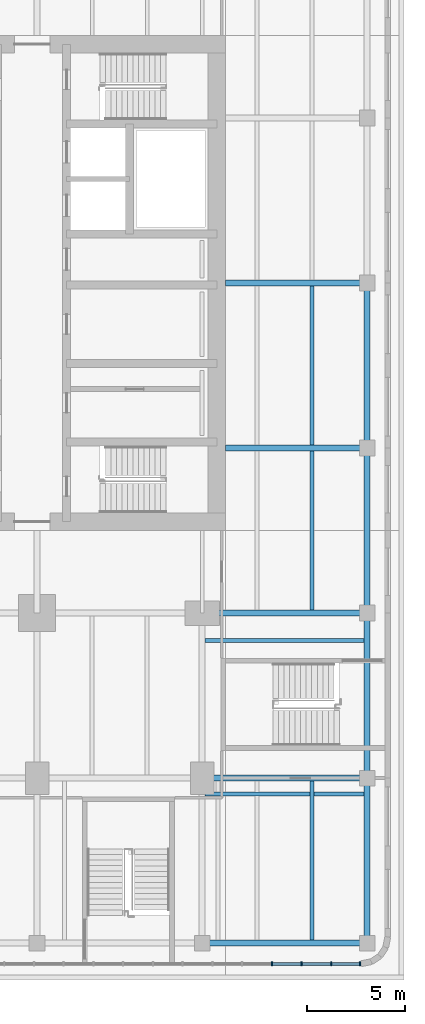
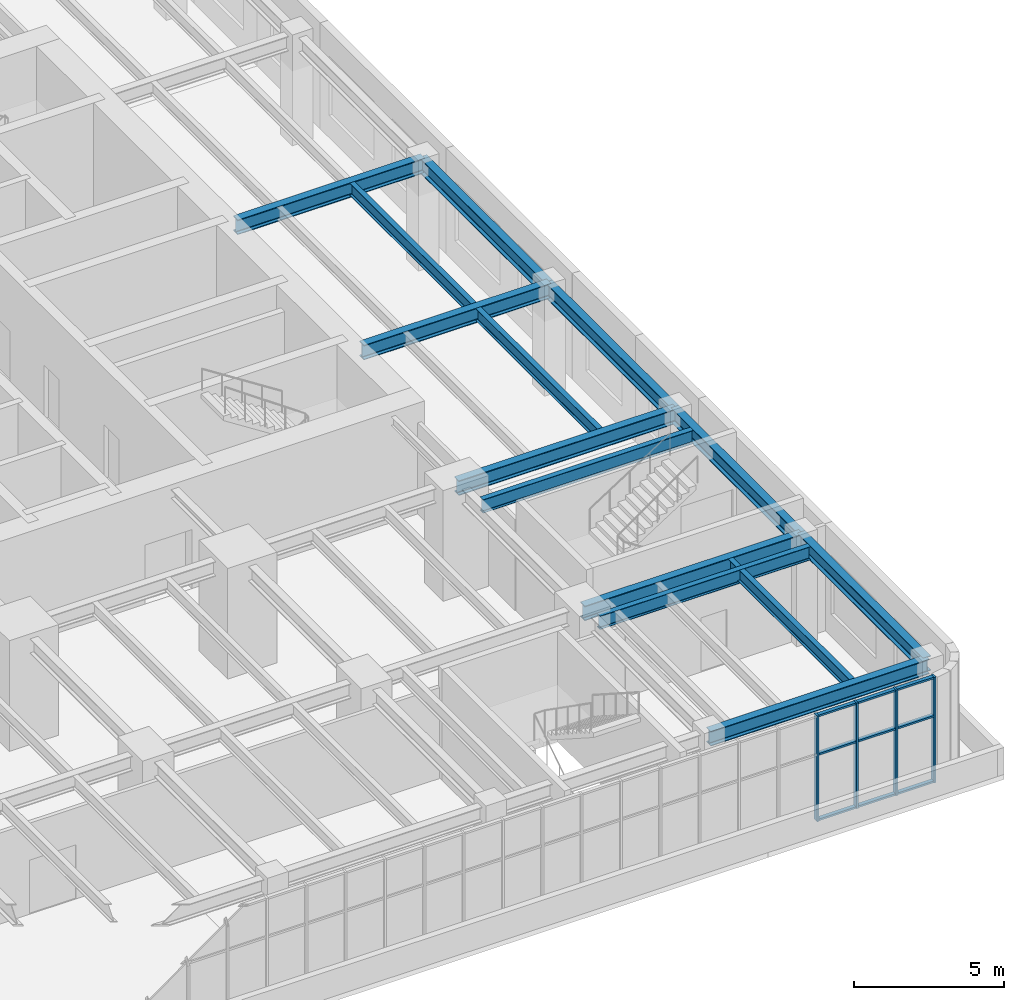
# One storey, part 12 of 30: 14 beams, 13 members, 1 element without a shape of its own.
"""IFC4 building model written with IfcOpenShell, lengths in metres."""

from ifc_helpers import new_model, si_unit, direction, frame, origin, origin_2d, place, context, subcontext, project, spatial, rectangle, i_section, extrude, material, material_profile, profile_set, type_object, element, aggregate, save


model = new_model("IFC4")

# Units and contexts
model_context = context("Model", 3, precision=1e-05, world=origin(), true_north=direction((0.0, 1.0)))
body_context = subcontext(model_context, "Body", "Model", "MODEL_VIEW")
ifc_project = project(units=[si_unit("LENGTHUNIT", "METRE"), si_unit("AREAUNIT", "SQUARE_METRE"), si_unit("VOLUMEUNIT", "CUBIC_METRE"), si_unit("PLANEANGLEUNIT", "RADIAN"), si_unit("MASSUNIT", "GRAM", prefix="KILO")], contexts=[model_context])

# Site, building, storey
site_placement = place(None, origin())
site = spatial("IfcSite", under=ifc_project, at=site_placement, CompositionType="ELEMENT")
building_placement = place(site_placement, origin())
building = spatial("IfcBuilding", under=site, at=building_placement, Name="Claustro Exchange Tower", CompositionType="ELEMENT")
storey_placement = place(building_placement, frame((0.0, 0.0, 5.39990234375)))
storey = spatial("IfcBuildingStorey", under=building, at=storey_placement, Name="L01", CompositionType="ELEMENT", Elevation=5.39990234375)

# Beams
ifc_material_1 = material(Name="Steel S355", Category="steel")
ifc_material_profile_1 = material_profile(ifc_material_1, i_section(OverallWidth=0.300048828125, OverallDepth=0.60009765625, WebThickness=0.015380859375, FlangeThickness=0.030029296875, FilletRadius=0.027099609375, at=origin_2d()), Name="HE 600 B")
ifc_profile_set_1 = profile_set([ifc_material_profile_1], Name="Steel S355")
beam_type_1 = type_object("IfcBeamType", Name="B1 HE 600 B floor girder", PredefinedType="BEAM", material=ifc_profile_set_1)
for number, where, z_axis, x_axis, name in (
    (1, (58.800048828125, -8.39990234375, 4.0), (0.0, 1.0, 0.0), (-1.0, 0.0, 0.0), "Beam B1 L02"),
    (2, (58.800048828125, 0.0, 4.0), (0.0, 1.0, 0.0), (-1.0, 0.0, 0.0), "Beam B1 L02"),
):
    element("IfcBeam", number, at=place(storey_placement, frame(where, z_axis=z_axis, x_axis=x_axis)), inside=storey, type_object=beam_type_1, Name=name, PredefinedType="BEAM", context=body_context, shape_type="SweptSolid", body=[
        extrude(i_section(OverallWidth=0.300048828125, OverallDepth=0.60009765625, WebThickness=0.015380859375, FlangeThickness=0.030029296875, FilletRadius=0.027099609375, at=origin_2d()), origin(), (0.0, 0.0, 1.0), 8.39990234375),
    ])
beam_1_placement = place(storey_placement, frame((58.800048828125, 8.39990234375, 4.0), z_axis=(0.0, 1.0, 0.0), x_axis=(-1.0, 0.0, 0.0)))
element("IfcBeam", 3, at=beam_1_placement, inside=storey, type_object=beam_type_1, Name="Beam B1 L02", PredefinedType="BEAM", context=body_context, shape_type="SweptSolid", body=[
    extrude(i_section(OverallWidth=0.300048828125, OverallDepth=0.60009765625, WebThickness=0.015380859375, FlangeThickness=0.030029296875, FilletRadius=0.027099609375, at=origin_2d()), origin(), (0.0, 0.0, 1.0), 8.400146484375),
])
beam_2_placement = place(storey_placement, frame((58.800048828125, 16.800048828125, 4.0), z_axis=(0.0, 1.0, 0.0), x_axis=(-1.0, 0.0, 0.0)))
element("IfcBeam", 4, at=beam_2_placement, inside=storey, type_object=beam_type_1, Name="Beam B1 L02", PredefinedType="BEAM", context=body_context, shape_type="SweptSolid", body=[
    extrude(i_section(OverallWidth=0.300048828125, OverallDepth=0.60009765625, WebThickness=0.015380859375, FlangeThickness=0.030029296875, FilletRadius=0.027099609375, at=origin_2d()), origin(), (0.0, 0.0, 1.0), 8.39990234375),
])
for number, where, z_axis, x_axis, name in (
    (5, (50.39990234375, -8.39990234375, 4.0), (1.0, 0.0, 0.0), (0.0, 1.0, 0.0), "Beam B1 L02"),
    (6, (50.39990234375, 0.0, 4.0), (1.0, 0.0, 0.0), (0.0, 1.0, 0.0), "Beam B1 L02"),
    (7, (50.39990234375, 8.39990234375, 4.0), (1.0, 0.0, 0.0), (0.0, 1.0, 0.0), "Beam B1 L02"),
):
    element("IfcBeam", number, at=place(storey_placement, frame(where, z_axis=z_axis, x_axis=x_axis)), inside=storey, type_object=beam_type_1, Name=name, PredefinedType="BEAM", context=body_context, shape_type="SweptSolid", body=[
        extrude(i_section(OverallWidth=0.300048828125, OverallDepth=0.60009765625, WebThickness=0.015380859375, FlangeThickness=0.030029296875, FilletRadius=0.027099609375, at=origin_2d()), origin(), (0.0, 0.0, 1.0), 8.400146484375),
    ])
for number, where, z_axis, x_axis, name in (
    (8, (51.60009765625, 16.800048828125, 4.0), (1.0, 0.0, 0.0), (0.0, 1.0, 0.0), "Beam B1 L02"),
    (9, (51.60009765625, 25.199951171875, 4.0), (1.0, 0.0, 0.0), (0.0, 1.0, 0.0), "Beam B1 L02"),
):
    element("IfcBeam", number, at=place(storey_placement, frame(where, z_axis=z_axis, x_axis=x_axis)), inside=storey, type_object=beam_type_1, Name=name, PredefinedType="BEAM", context=body_context, shape_type="SweptSolid", body=[
        extrude(i_section(OverallWidth=0.300048828125, OverallDepth=0.60009765625, WebThickness=0.015380859375, FlangeThickness=0.030029296875, FilletRadius=0.027099609375, at=origin_2d()), origin(), (0.0, 0.0, 1.0), 7.199951171875),
    ])
ifc_material_2 = material(Name="Steel S355", Category="steel")
ifc_material_profile_2 = material_profile(ifc_material_2, i_section(OverallWidth=0.199951171875, OverallDepth=0.5, WebThickness=0.01025390625, FlangeThickness=0.01611328125, FilletRadius=0.02099609375, at=origin_2d()), Name="IPE 500")
ifc_profile_set_2 = profile_set([ifc_material_profile_2], Name="Steel S355")
beam_type_2 = type_object("IfcBeamType", Name="B2 IPE 500 secondary beam", PredefinedType="BEAM", material=ifc_profile_set_2)
beam_3_placement = place(storey_placement, frame((56.0, -8.25, 4.050048828125), z_axis=(0.0, 1.0, 0.0), x_axis=(-1.0, 0.0, 0.0)))
element("IfcBeam", 10, at=beam_3_placement, inside=storey, type_object=beam_type_2, Name="Beam B2 L02", PredefinedType="BEAM", context=body_context, shape_type="SweptSolid", body=[
    extrude(i_section(OverallWidth=0.199951171875, OverallDepth=0.5, WebThickness=0.01025390625, FlangeThickness=0.01611328125, FilletRadius=0.02099609375, at=origin_2d()), origin(), (0.0, 0.0, 1.0), 8.10009765625),
])
beam_4_placement = place(storey_placement, frame((56.0, 8.550048828125, 4.050048828125), z_axis=(0.0, 1.0, 0.0), x_axis=(-1.0, 0.0, 0.0)))
element("IfcBeam", 11, at=beam_4_placement, inside=storey, type_object=beam_type_2, Name="Beam B2 L02", PredefinedType="BEAM", context=body_context, shape_type="SweptSolid", body=[
    extrude(i_section(OverallWidth=0.199951171875, OverallDepth=0.5, WebThickness=0.01025390625, FlangeThickness=0.01611328125, FilletRadius=0.02099609375, at=origin_2d()), origin(), (0.0, 0.0, 1.0), 8.099853515625),
])
beam_5_placement = place(storey_placement, frame((56.0, 16.949951171875, 4.050048828125), z_axis=(0.0, 1.0, 0.0), x_axis=(-1.0, 0.0, 0.0)))
element("IfcBeam", 12, at=beam_5_placement, inside=storey, type_object=beam_type_2, Name="Beam B2 L02", PredefinedType="BEAM", context=body_context, shape_type="SweptSolid", body=[
    extrude(i_section(OverallWidth=0.199951171875, OverallDepth=0.5, WebThickness=0.01025390625, FlangeThickness=0.01611328125, FilletRadius=0.02099609375, at=origin_2d()), origin(), (0.0, 0.0, 1.0), 8.10009765625),
])
ifc_material_3 = material(Name="Steel S355", Category="steel")
ifc_material_profile_3 = material_profile(ifc_material_3, i_section(OverallWidth=0.2099609375, OverallDepth=0.550048828125, WebThickness=0.010986328125, FlangeThickness=0.01708984375, FilletRadius=0.02392578125, at=origin_2d()), Name="IPE 550")
ifc_profile_set_3 = profile_set([ifc_material_profile_3], Name="Steel S355")
beam_type_3 = type_object("IfcBeamType", Name="B28 IPE 550 podium stair trimmer", PredefinedType="BEAM", material=ifc_profile_set_3)
for number, where, z_axis, x_axis, name in (
    (13, (50.550048828125, 7.0, 4.025146484375), (1.0, 0.0, 0.0), (0.0, 1.0, 0.0), "Beam B28 trimmer STP6 L02"),
    (14, (50.550048828125, -0.800048828125, 4.025146484375), (1.0, 0.0, 0.0), (0.0, 1.0, 0.0), "Beam B28 trimmer STP6 L02"),
):
    element("IfcBeam", number, at=place(storey_placement, frame(where, z_axis=z_axis, x_axis=x_axis)), inside=storey, type_object=beam_type_3, Name=name, PredefinedType="BEAM", context=body_context, shape_type="SweptSolid", body=[
        extrude(i_section(OverallWidth=0.2099609375, OverallDepth=0.550048828125, WebThickness=0.010986328125, FlangeThickness=0.01708984375, FilletRadius=0.02392578125, at=origin_2d()), origin(), (0.0, 0.0, 1.0), 8.099853515625),
    ])

# Curtain wall, members
ifc_material_4 = material(Name="Aluminium frame, clear double glazing", Category="aluminium")
curtain_wall_type = type_object("IfcCurtainWallType", Name="CW1 storefront curtain wall", PredefinedType="USERDEFINED", material=ifc_material_4)
curtain_wall_placement = place(storey_placement, origin())
curtain_wall = element("IfcCurtainWall", 15, at=curtain_wall_placement, inside=storey, type_object=curtain_wall_type, Name="Curtain wall CW1 L01", ObjectType="STICK CURTAIN WALL", PredefinedType="USERDEFINED")
ifc_material_5 = material(Name="Aluminium mullion", Category="aluminium")
ifc_material_profile_4 = material_profile(ifc_material_5, rectangle(XDim=0.199951171875, YDim=0.074951171875, at=origin_2d()), Name="CW1-M 75x200")
ifc_profile_set_4 = profile_set([ifc_material_profile_4], Name="Aluminium mullion")
member_type_1 = type_object("IfcMemberType", Name="CW1-M 75 x 200 mullion", PredefinedType="MULLION", material=ifc_profile_set_4)
member_1_placement = place(storey_placement, frame((53.9462890625, -9.449951171875, 0.0), z_axis=(0.0, 0.0, 1.0), x_axis=(0.0, 1.0, 0.0)))
member_1 = element("IfcMember", 16, at=member_1_placement, type_object=member_type_1, Name="CW1 mullion 42", PredefinedType="MULLION", context=body_context, shape_type="SweptSolid", body=[
    extrude(rectangle(XDim=0.199951171875, YDim=0.074951171875, at=origin_2d()), origin(), (0.0, 0.0, 1.0), 4.300048828125),
])
member_2_placement = place(storey_placement, frame((55.459228515625, -9.449951171875, 0.0), z_axis=(0.0, 0.0, 1.0), x_axis=(0.0, 1.0, 0.0)))
member_2 = element("IfcMember", 17, at=member_2_placement, type_object=member_type_1, Name="CW1 mullion 43", PredefinedType="MULLION", context=body_context, shape_type="SweptSolid", body=[
    extrude(rectangle(XDim=0.199951171875, YDim=0.074951171875, at=origin_2d()), origin(), (0.0, 0.0, 1.0), 4.300048828125),
])
member_3_placement = place(storey_placement, frame((56.97216796875, -9.449951171875, 0.0), z_axis=(0.0, 0.0, 1.0), x_axis=(0.0, 1.0, 0.0)))
member_3 = element("IfcMember", 18, at=member_3_placement, type_object=member_type_1, Name="CW1 mullion 44", PredefinedType="MULLION", context=body_context, shape_type="SweptSolid", body=[
    extrude(rectangle(XDim=0.199951171875, YDim=0.074951171875, at=origin_2d()), origin(), (0.0, 0.0, 1.0), 4.300048828125),
])
member_4_placement = place(storey_placement, frame((58.44775390625, -9.449951171875, 0.0), z_axis=(0.0, 0.0, 1.0), x_axis=(0.0, 1.0, 0.0)))
member_4 = element("IfcMember", 19, at=member_4_placement, type_object=member_type_1, Name="CW1 mullion 45", PredefinedType="MULLION", context=body_context, shape_type="SweptSolid", body=[
    extrude(rectangle(XDim=0.199951171875, YDim=0.074951171875, at=origin_2d()), origin(), (0.0, 0.0, 1.0), 4.300048828125),
])
ifc_material_6 = material(Name="Aluminium transom", Category="aluminium")
ifc_material_profile_5 = material_profile(ifc_material_6, rectangle(XDim=0.14990234375, YDim=0.074951171875, at=origin_2d()), Name="CW1-T 75x150")
ifc_profile_set_5 = profile_set([ifc_material_profile_5], Name="Aluminium transom")
member_type_2 = type_object("IfcMemberType", Name="CW1-T 75 x 150 transom", PredefinedType="USERDEFINED", material=ifc_profile_set_5)
member_5_placement = place(storey_placement, frame((53.98388671875, -9.449951171875, 0.03759765625), z_axis=(1.0, 0.0, 0.0), x_axis=(0.0, 1.0, 0.0)))
member_5 = element("IfcMember", 20, at=member_5_placement, type_object=member_type_2, Name="CW1 transom 42.1", ObjectType="TRANSOM", PredefinedType="USERDEFINED", context=body_context, shape_type="SweptSolid", body=[
    extrude(rectangle(XDim=0.14990234375, YDim=0.074951171875, at=origin_2d()), origin(), (0.0, 0.0, 1.0), 1.43798828125),
])
member_6_placement = place(storey_placement, frame((53.98388671875, -9.449951171875, 2.7001953125), z_axis=(1.0, 0.0, 0.0), x_axis=(0.0, 1.0, 0.0)))
member_6 = element("IfcMember", 21, at=member_6_placement, type_object=member_type_2, Name="CW1 transom 42.2", ObjectType="TRANSOM", PredefinedType="USERDEFINED", context=body_context, shape_type="SweptSolid", body=[
    extrude(rectangle(XDim=0.14990234375, YDim=0.074951171875, at=origin_2d()), origin(), (0.0, 0.0, 1.0), 1.43798828125),
])
member_7_placement = place(storey_placement, frame((53.98388671875, -9.449951171875, 4.2626953125), z_axis=(1.0, 0.0, 0.0), x_axis=(0.0, 1.0, 0.0)))
member_7 = element("IfcMember", 22, at=member_7_placement, type_object=member_type_2, Name="CW1 transom 42.3", ObjectType="TRANSOM", PredefinedType="USERDEFINED", context=body_context, shape_type="SweptSolid", body=[
    extrude(rectangle(XDim=0.14990234375, YDim=0.074951171875, at=origin_2d()), origin(), (0.0, 0.0, 1.0), 1.43798828125),
])
member_8_placement = place(storey_placement, frame((55.496826171875, -9.449951171875, 0.03759765625), z_axis=(1.0, 0.0, 0.0), x_axis=(0.0, 1.0, 0.0)))
member_8 = element("IfcMember", 23, at=member_8_placement, type_object=member_type_2, Name="CW1 transom 43.1", ObjectType="TRANSOM", PredefinedType="USERDEFINED", context=body_context, shape_type="SweptSolid", body=[
    extrude(rectangle(XDim=0.14990234375, YDim=0.074951171875, at=origin_2d()), origin(), (0.0, 0.0, 1.0), 1.43798828125),
])
member_9_placement = place(storey_placement, frame((55.496826171875, -9.449951171875, 2.7001953125), z_axis=(1.0, 0.0, 0.0), x_axis=(0.0, 1.0, 0.0)))
member_9 = element("IfcMember", 24, at=member_9_placement, type_object=member_type_2, Name="CW1 transom 43.2", ObjectType="TRANSOM", PredefinedType="USERDEFINED", context=body_context, shape_type="SweptSolid", body=[
    extrude(rectangle(XDim=0.14990234375, YDim=0.074951171875, at=origin_2d()), origin(), (0.0, 0.0, 1.0), 1.43798828125),
])
member_10_placement = place(storey_placement, frame((55.496826171875, -9.449951171875, 4.2626953125), z_axis=(1.0, 0.0, 0.0), x_axis=(0.0, 1.0, 0.0)))
member_10 = element("IfcMember", 25, at=member_10_placement, type_object=member_type_2, Name="CW1 transom 43.3", ObjectType="TRANSOM", PredefinedType="USERDEFINED", context=body_context, shape_type="SweptSolid", body=[
    extrude(rectangle(XDim=0.14990234375, YDim=0.074951171875, at=origin_2d()), origin(), (0.0, 0.0, 1.0), 1.43798828125),
])
member_11_placement = place(storey_placement, frame((57.009765625, -9.449951171875, 0.03759765625), z_axis=(1.0, 0.0, 0.0), x_axis=(0.0, 1.0, 0.0)))
member_11 = element("IfcMember", 26, at=member_11_placement, type_object=member_type_2, Name="CW1 transom 44.1", ObjectType="TRANSOM", PredefinedType="USERDEFINED", context=body_context, shape_type="SweptSolid", body=[
    extrude(rectangle(XDim=0.14990234375, YDim=0.074951171875, at=origin_2d()), origin(), (0.0, 0.0, 1.0), 1.400390625),
])
member_12_placement = place(storey_placement, frame((57.009765625, -9.449951171875, 2.7001953125), z_axis=(1.0, 0.0, 0.0), x_axis=(0.0, 1.0, 0.0)))
member_12 = element("IfcMember", 27, at=member_12_placement, type_object=member_type_2, Name="CW1 transom 44.2", ObjectType="TRANSOM", PredefinedType="USERDEFINED", context=body_context, shape_type="SweptSolid", body=[
    extrude(rectangle(XDim=0.14990234375, YDim=0.074951171875, at=origin_2d()), origin(), (0.0, 0.0, 1.0), 1.400390625),
])
member_13_placement = place(storey_placement, frame((57.009765625, -9.449951171875, 4.2626953125), z_axis=(1.0, 0.0, 0.0), x_axis=(0.0, 1.0, 0.0)))
member_13 = element("IfcMember", 28, at=member_13_placement, type_object=member_type_2, Name="CW1 transom 44.3", ObjectType="TRANSOM", PredefinedType="USERDEFINED", context=body_context, shape_type="SweptSolid", body=[
    extrude(rectangle(XDim=0.14990234375, YDim=0.074951171875, at=origin_2d()), origin(), (0.0, 0.0, 1.0), 1.400390625),
])
aggregate(curtain_wall, [member_1, member_2, member_3, member_4, member_5, member_6, member_7, member_8, member_9, member_10, member_11, member_12, member_13])

save(model, "model.ifc")
